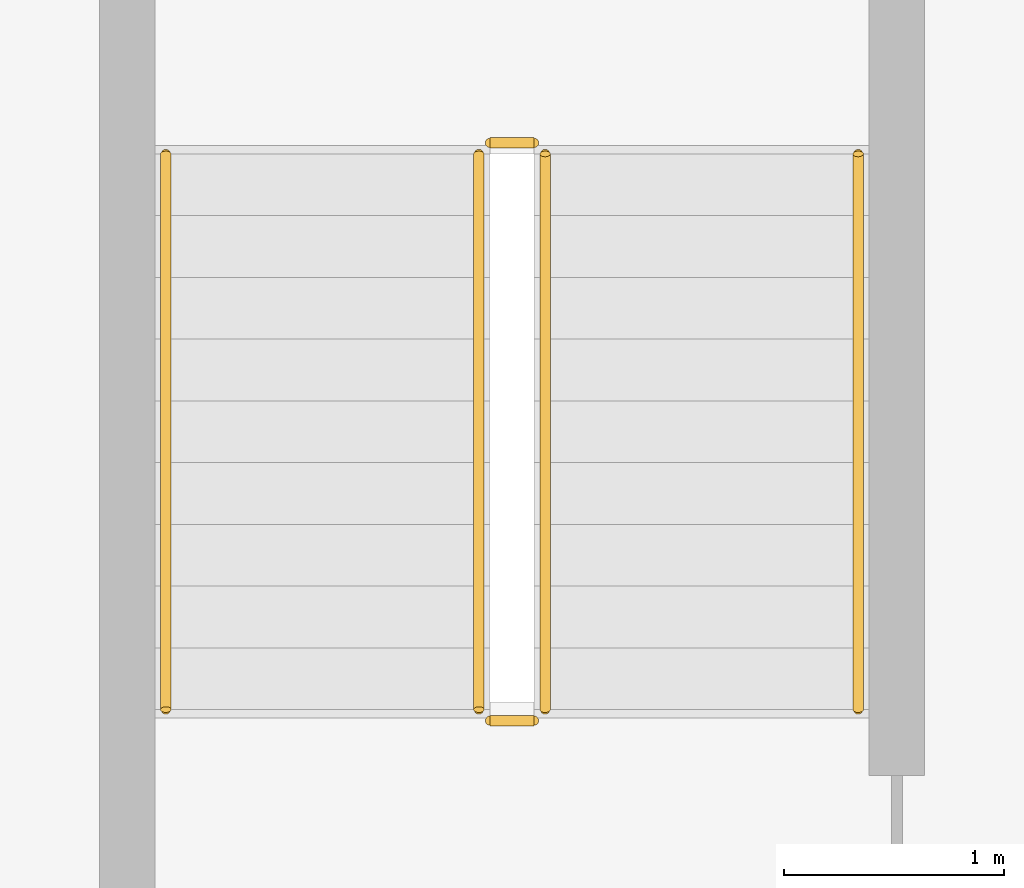
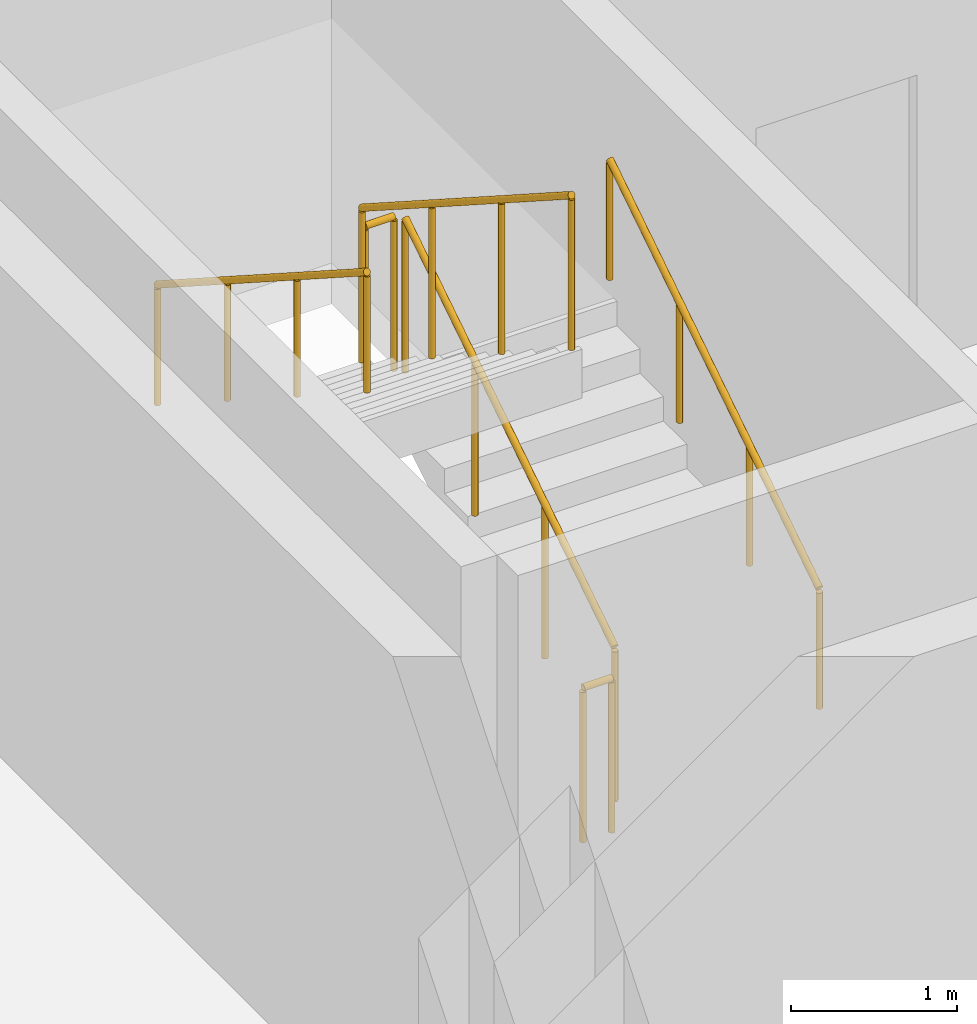
# One storey, part 16 of 23: 6 railings.
"""IFC4 building model written with IfcOpenShell, lengths in metres."""

from ifc_helpers import new_model, si_unit, direction, frame, origin, origin_2d, place, context, subcontext, project, spatial, circle, extrude, material, type_object, element, save


model = new_model("IFC4")

# Units and contexts
model_context = context("Model", 3, precision=1e-05, world=origin(), true_north=direction((0.0, 1.0)))
body_context = subcontext(model_context, "Body", "Model", "MODEL_VIEW")
ifc_project = project(units=[si_unit("LENGTHUNIT", "METRE"), si_unit("AREAUNIT", "SQUARE_METRE"), si_unit("VOLUMEUNIT", "CUBIC_METRE"), si_unit("PLANEANGLEUNIT", "RADIAN"), si_unit("MASSUNIT", "GRAM", prefix="KILO")], contexts=[model_context])

# Site, building, storey
site_placement = place(None, origin())
site = spatial("IfcSite", under=ifc_project, at=site_placement, CompositionType="ELEMENT")
building_placement = place(site_placement, origin())
building = spatial("IfcBuilding", under=site, at=building_placement, Name="Korimba Cascade Residences", CompositionType="ELEMENT")
storey_placement = place(building_placement, frame((0.0, 0.0, -3.60009765625)))
storey = spatial("IfcBuildingStorey", under=building, at=storey_placement, Name="B01", CompositionType="ELEMENT", Elevation=-3.60009765625)

# Railings
ifc_material_1 = material(Name="Painted Steel Stairwell Guardrail", Category="steel")
railing_type_1 = type_object("IfcRailingType", Name="RLG-ST-GD1150", PredefinedType="GUARDRAIL", material=ifc_material_1)
railing_1_placement = place(storey_placement, frame((84.77001953125, 22.050048828125, 0.18017578125)))
element("IfcRailing", 1, at=railing_1_placement, inside=storey, type_object=railing_type_1, Name="B01 ST-E1 stair guard 1", PredefinedType="GUARDRAIL", context=body_context, shape_type="SweptSolid", body=[
    extrude(circle(Radius=0.02392578125, at=origin_2d()), frame((0.0, 0.0, 1.1259765625), z_axis=(0.0, 0.841199657755, 0.540724639528), x_axis=(-1.0, 0.0, 0.0)), (0.0, 0.0, 1.0), 2.995849609375),
    extrude(circle(Radius=0.02099609375, at=origin_2d()), origin(), (0.0, 0.0, 1.0), 1.101806640625),
    extrude(circle(Radius=0.02099609375, at=origin_2d()), frame((0.0, 0.840087890625, 0.5400390625)), (0.0, 0.0, 1.0), 1.101806640625),
    extrude(circle(Radius=0.02099609375, at=origin_2d()), frame((0.0, 1.679931640625, 1.079833984375)), (0.0, 0.0, 1.0), 1.101806640625),
    extrude(circle(Radius=0.02099609375, at=origin_2d()), frame((0.0, 2.52001953125, 1.619873046875)), (0.0, 0.0, 1.0), 1.101806640625),
])
railing_2_placement = place(storey_placement, frame((84.719970703125, 24.6201171875, 1.800048828125)))
element("IfcRailing", 2, at=railing_2_placement, inside=storey, type_object=railing_type_1, Name="B01 ST-E1 stair guard 2", PredefinedType="GUARDRAIL", context=body_context, shape_type="SweptSolid", body=[
    extrude(circle(Radius=0.02392578125, at=origin_2d()), frame((0.0, 0.0, 1.1259765625), z_axis=(-1.0, 0.0, 0.0), x_axis=(0.0, -1.0, 0.0)), (0.0, 0.0, 1.0), 0.199951171875),
    extrude(circle(Radius=0.02099609375, at=origin_2d()), origin(), (0.0, 0.0, 1.0), 1.101806640625),
    extrude(circle(Radius=0.02099609375, at=origin_2d()), frame((-0.199951171875, 0.0, 0.0)), (0.0, 0.0, 1.0), 1.101806640625),
])
railing_3_placement = place(storey_placement, frame((84.469970703125, 24.570068359375, 1.97998046875)))
element("IfcRailing", 3, at=railing_3_placement, inside=storey, type_object=railing_type_1, Name="B01 ST-E1 stair guard 3", PredefinedType="GUARDRAIL", context=body_context, shape_type="SweptSolid", body=[
    extrude(circle(Radius=0.02392578125, at=origin_2d()), frame((0.0, 0.0, 1.1259765625), z_axis=(0.0, -0.841162588446, 0.540782303519), x_axis=(1.0, 0.0, 0.0)), (0.0, 0.0, 1.0), 2.995849609375),
    extrude(circle(Radius=0.02099609375, at=origin_2d()), origin(), (0.0, 0.0, 1.0), 1.101806640625),
    extrude(circle(Radius=0.02099609375, at=origin_2d()), frame((0.0, -0.840087890625, 0.5400390625)), (0.0, 0.0, 1.0), 1.101806640625),
    extrude(circle(Radius=0.02099609375, at=origin_2d()), frame((0.0, -1.679931640625, 1.080078125)), (0.0, 0.0, 1.0), 1.101806640625),
    extrude(circle(Radius=0.02099609375, at=origin_2d()), frame((0.0, -2.52001953125, 1.6201171875)), (0.0, 0.0, 1.0), 1.101806640625),
])
railing_4_placement = place(storey_placement, frame((84.719970703125, 22.0, 0.0)))
element("IfcRailing", 4, at=railing_4_placement, inside=storey, type_object=railing_type_1, Name="B01 ST-E1 stair guard 4", PredefinedType="GUARDRAIL", context=body_context, shape_type="SweptSolid", body=[
    extrude(circle(Radius=0.02392578125, at=origin_2d()), frame((0.0, 0.0, 1.1259765625), z_axis=(-1.0, 0.0, 0.0), x_axis=(0.0, -1.0, 0.0)), (0.0, 0.0, 1.0), 0.199951171875),
    extrude(circle(Radius=0.02099609375, at=origin_2d()), origin(), (0.0, 0.0, 1.0), 1.101806640625),
    extrude(circle(Radius=0.02099609375, at=origin_2d()), frame((-0.199951171875, 0.0, 0.0)), (0.0, 0.0, 1.0), 1.101806640625),
])
ifc_material_2 = material(Name="Brushed Stainless Steel Handrail", Category="steel")
railing_type_2 = type_object("IfcRailingType", Name="RLG-ST-HR900", PredefinedType="HANDRAIL", material=ifc_material_2)
railing_5_placement = place(storey_placement, frame((86.18994140625, 22.050048828125, 0.364013671875)))
element("IfcRailing", 5, at=railing_5_placement, inside=storey, type_object=railing_type_2, Name="B01 ST-E1 stair handrail 1", PredefinedType="HANDRAIL", context=body_context, shape_type="SweptSolid", body=[
    extrude(circle(Radius=0.02392578125, at=origin_2d()), frame((0.0, 0.0, 0.8759765625), z_axis=(0.0, 0.841199657755, 0.540724639528), x_axis=(-1.0, 0.0, 0.0)), (0.0, 0.0, 1.0), 2.995849609375),
    extrude(circle(Radius=0.02099609375, at=origin_2d()), origin(), (0.0, 0.0, 1.0), 0.851806640625),
    extrude(circle(Radius=0.02099609375, at=origin_2d()), frame((0.0, 0.840087890625, 0.5400390625)), (0.0, 0.0, 1.0), 0.851806640625),
    extrude(circle(Radius=0.02099609375, at=origin_2d()), frame((0.0, 1.679931640625, 1.079833984375)), (0.0, 0.0, 1.0), 0.851806640625),
    extrude(circle(Radius=0.02099609375, at=origin_2d()), frame((0.0, 2.52001953125, 1.619873046875)), (0.0, 0.0, 1.0), 0.851806640625),
])
railing_6_placement = place(storey_placement, frame((83.050048828125, 24.570068359375, 2.163818359375)))
element("IfcRailing", 6, at=railing_6_placement, inside=storey, type_object=railing_type_2, Name="B01 ST-E1 stair handrail 2", PredefinedType="HANDRAIL", context=body_context, shape_type="SweptSolid", body=[
    extrude(circle(Radius=0.02392578125, at=origin_2d()), frame((0.0, 0.0, 0.8759765625), z_axis=(0.0, -0.841162588446, 0.540782303519), x_axis=(1.0, 0.0, 0.0)), (0.0, 0.0, 1.0), 2.995849609375),
    extrude(circle(Radius=0.02099609375, at=origin_2d()), origin(), (0.0, 0.0, 1.0), 0.851806640625),
    extrude(circle(Radius=0.02099609375, at=origin_2d()), frame((0.0, -0.840087890625, 0.5400390625)), (0.0, 0.0, 1.0), 0.851806640625),
    extrude(circle(Radius=0.02099609375, at=origin_2d()), frame((0.0, -1.679931640625, 1.080078125)), (0.0, 0.0, 1.0), 0.851806640625),
    extrude(circle(Radius=0.02099609375, at=origin_2d()), frame((0.0, -2.52001953125, 1.6201171875)), (0.0, 0.0, 1.0), 0.851806640625),
])

save(model, "model.ifc")
